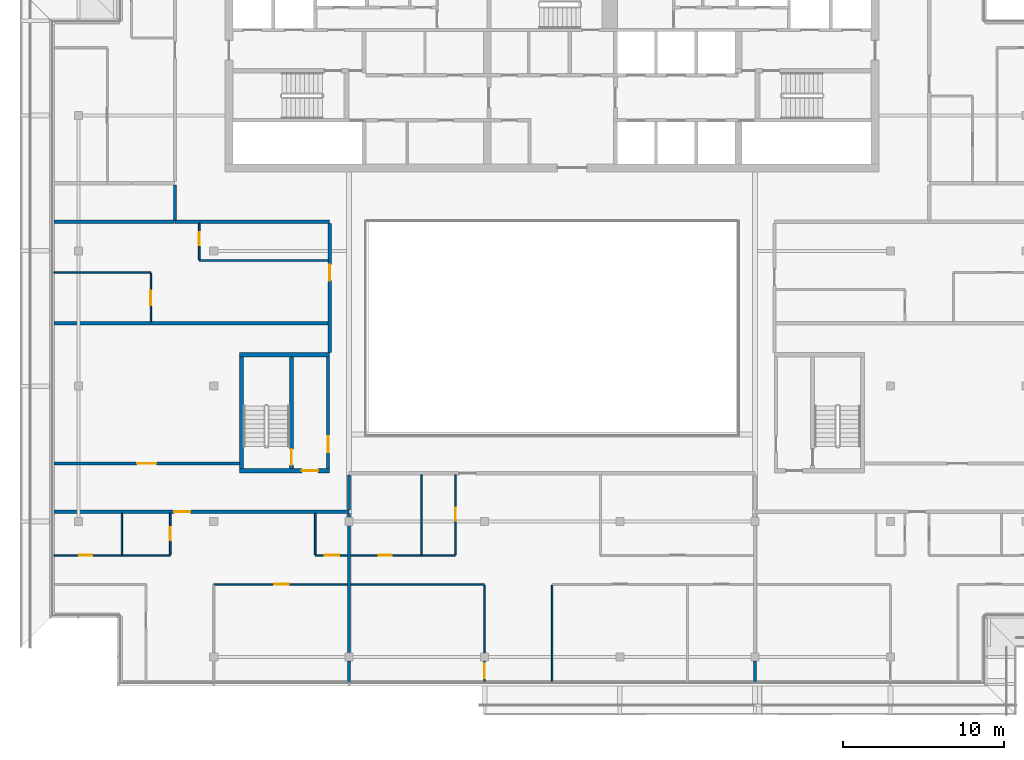
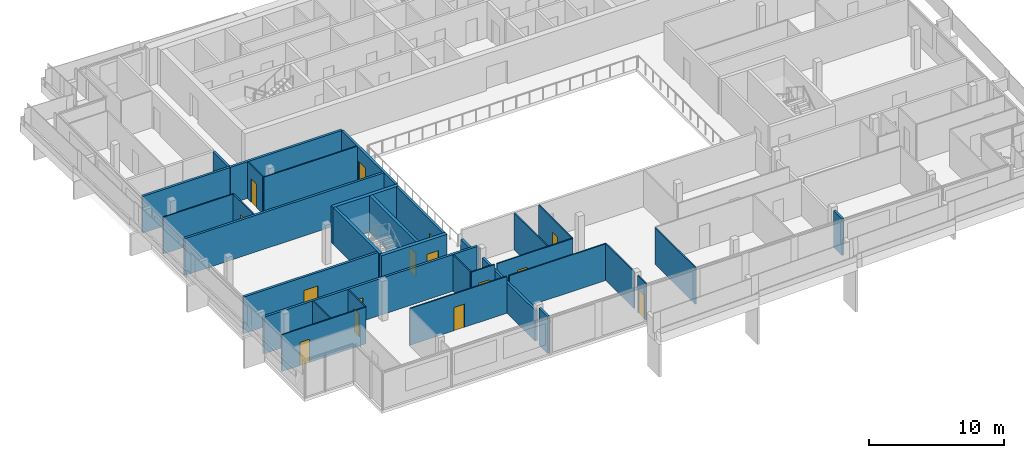
# One storey, part 15 of 26: 34 walls, 15 doors, 15 openings.
"""IFC4 building model written with IfcOpenShell, lengths in metres."""

from ifc_helpers import new_model, si_unit, direction, frame, frame_2d, origin, place, context, subcontext, project, spatial, rectangle, extrude, material, layer, layer_set, type_object, element, fill, save


model = new_model("IFC4")

# Units and contexts
model_context = context("Model", 3, precision=1e-05, world=origin(), true_north=direction((0.0, 1.0)))
body_context = subcontext(model_context, "Body", "Model", "MODEL_VIEW")
ifc_project = project(units=[si_unit("LENGTHUNIT", "METRE"), si_unit("AREAUNIT", "SQUARE_METRE"), si_unit("VOLUMEUNIT", "CUBIC_METRE"), si_unit("PLANEANGLEUNIT", "RADIAN"), si_unit("MASSUNIT", "GRAM", prefix="KILO")], contexts=[model_context])

# Site, building, storey
site_placement = place(None, origin())
site = spatial("IfcSite", under=ifc_project, at=site_placement, CompositionType="ELEMENT")
building_placement = place(site_placement, origin())
building = spatial("IfcBuilding", under=site, at=building_placement, Name="Saffron Gate Tower", CompositionType="ELEMENT")
storey_placement = place(building_placement, frame((0.0, 0.0, 277.949951171875)))
storey = spatial("IfcBuildingStorey", under=building, at=storey_placement, Name="L67", CompositionType="ELEMENT", Elevation=277.949951171875)

# Wall, opening, door
ifc_material_1 = material(Name="Gypsum board partition on steel studs", Category="steel")
ifc_layer_1 = layer(ifc_material_1, 0.199951171875)
ifc_layer_set_1 = layer_set([ifc_layer_1], Name="CW10 Core partition 200")
wall_type_1 = type_object("IfcWallType", Name="CW10 Core partition 200", PredefinedType="PARTITIONING", material=ifc_layer_set_1)
wall_1_placement = place(storey_placement, frame((73.699951171875, 43.5, 0.0), z_axis=(0.0, 0.0, 1.0), x_axis=(0.0, 1.0, 0.0)))
wall_1 = element("IfcWall", 1, at=wall_1_placement, inside=storey, type_object=wall_type_1, Name="Wall CW10-L67-D-4", PredefinedType="PARTITIONING", context=body_context, shape_type="SweptSolid", body=[
    extrude(rectangle(XDim=6.89990234375, YDim=0.199951171875, at=frame_2d((3.449951171875, 0.0))), origin(), (0.0, 0.0, 1.0), 3.320068359375),
])
opening_1_placement = place(wall_1_placement, frame((1.0, 0.0, 0.0)))
opening_1 = element("IfcOpeningElement", 2, at=opening_1_placement, cuts=wall_1, Name="Opening CR-19", PredefinedType="OPENING", context=body_context, shape_type="SweptSolid", body=[
    extrude(rectangle(XDim=1.0, YDim=2.10009765625, at=frame_2d((0.5, 1.050048828125))), frame((0.0, 0.10986328125, 0.0), z_axis=(0.0, -1.0, 0.0), x_axis=(1.0, 0.0, 0.0)), (0.0, 0.0, 1.0), 0.219970703125),
])
ifc_material_2 = material(Name="Steel fire door set", Category="steel")
door_type_1 = type_object("IfcDoorType", Name="CD4 Lobby door 1000x2100 EI 120", OperationType="NOTDEFINED", PredefinedType="DOOR", material=ifc_material_2)
door_1_placement = place(opening_1_placement, origin())
door_1 = element("IfcDoor", 3, at=door_1_placement, inside=storey, type_object=door_type_1, Name="DOOR CR-19", OperationType="SINGLE_SWING_RIGHT", OverallHeight=2.10009765625, OverallWidth=1.0, PredefinedType="DOOR", context=body_context, shape_type="SweptSolid", body=[
    extrude(rectangle(XDim=1.0, YDim=2.10009765625, at=frame_2d((0.5, 1.050048828125))), frame((0.0, 0.02490234375, 0.0), z_axis=(0.0, -1.0, 0.0), x_axis=(1.0, 0.0, 0.0)), (0.0, 0.0, 1.0), 0.050048828125),
])
fill(opening_1, door_1)

# Wall
ifc_material_3 = material(Name="Concrete C50", Category="concrete")
ifc_layer_2 = layer(ifc_material_3, 0.25)
ifc_layer_set_2 = layer_set([ifc_layer_2], Name="CW23 RC core wall 250 C50")
wall_type_2 = type_object("IfcWallType", Name="CW23 RC core wall 250 C50", PredefinedType="SOLIDWALL", material=ifc_layer_set_2)
wall_2_placement = place(storey_placement, frame((68.324951171875, 43.5, 0.0), z_axis=(0.0, 0.0, 1.0), x_axis=(0.0, 1.0, 0.0)))
element("IfcWall", 4, at=wall_2_placement, inside=storey, type_object=wall_type_2, Name="Wall CW23-L67-D-2", PredefinedType="SOLIDWALL", context=body_context, shape_type="SweptSolid", body=[
    extrude(rectangle(XDim=6.89990234375, YDim=0.25, at=frame_2d((3.449951171875, 0.0))), origin(), (0.0, 0.0, 1.0), 3.320068359375),
])

# Wall, opening, door
wall_3_placement = place(storey_placement, frame((71.425048828125, 43.5, 0.0), z_axis=(0.0, 0.0, 1.0), x_axis=(0.0, 1.0, 0.0)))
wall_3 = element("IfcWall", 5, at=wall_3_placement, inside=storey, type_object=wall_type_2, Name="Wall CW23-L67-D-3", PredefinedType="SOLIDWALL", context=body_context, shape_type="SweptSolid", body=[
    extrude(rectangle(XDim=6.89990234375, YDim=0.25, at=frame_2d((3.449951171875, 0.0))), origin(), (0.0, 0.0, 1.0), 3.320068359375),
])
opening_2_placement = place(wall_3_placement, frame((0.199951171875, 0.0, 0.0)))
opening_2 = element("IfcOpeningElement", 6, at=opening_2_placement, cuts=wall_3, Name="Opening CR-20", PredefinedType="OPENING", context=body_context, shape_type="SweptSolid", body=[
    extrude(rectangle(XDim=1.0, YDim=2.10009765625, at=frame_2d((0.5, 1.050048828125))), frame((0.0, 0.135009765625, 0.0), z_axis=(0.0, -1.0, 0.0), x_axis=(1.0, 0.0, 0.0)), (0.0, 0.0, 1.0), 0.27001953125),
])
door_type_2 = type_object("IfcDoorType", Name="CD5 Stair door 1000x2100 EI 120", OperationType="NOTDEFINED", PredefinedType="DOOR", material=ifc_material_2)
door_2_placement = place(opening_2_placement, origin())
door_2 = element("IfcDoor", 7, at=door_2_placement, inside=storey, type_object=door_type_2, Name="DOOR CR-20", OperationType="SINGLE_SWING_LEFT", OverallHeight=2.10009765625, OverallWidth=1.0, PredefinedType="DOOR", context=body_context, shape_type="SweptSolid", body=[
    extrude(rectangle(XDim=1.0, YDim=2.10009765625, at=frame_2d((0.5, 1.050048828125))), frame((0.0, 0.02490234375, 0.0), z_axis=(0.0, -1.0, 0.0), x_axis=(1.0, 0.0, 0.0)), (0.0, 0.0, 1.0), 0.050048828125),
])
fill(opening_2, door_2)

ifc_layer_3 = layer(ifc_material_3, 0.300048828125)
ifc_layer_set_3 = layer_set([ifc_layer_3], Name="CW26 RC core wall 300 C50")
wall_type_3 = type_object("IfcWallType", Name="CW26 RC core wall 300 C50", PredefinedType="SOLIDWALL", material=ifc_layer_set_3)
wall_4_placement = place(storey_placement, frame((68.199951171875, 43.35009765625, 0.0), z_axis=(0.0, 0.0, 1.0), x_axis=(1.0, 0.0, 0.0)))
wall_4 = element("IfcWall", 8, at=wall_4_placement, inside=storey, type_object=wall_type_3, Name="Wall CW26-L67-D-1", PredefinedType="SOLIDWALL", context=body_context, shape_type="SweptSolid", body=[
    extrude(rectangle(XDim=5.60009765625, YDim=0.300048828125, at=frame_2d((2.800048828125, 0.0))), origin(), (0.0, 0.0, 1.0), 3.320068359375),
])
opening_3_placement = place(wall_4_placement, frame((3.875, 0.0, 0.0)))
opening_3 = element("IfcOpeningElement", 9, at=opening_3_placement, cuts=wall_4, Name="Opening CR-18", PredefinedType="OPENING", context=body_context, shape_type="SweptSolid", body=[
    extrude(rectangle(XDim=1.0, YDim=2.10009765625, at=frame_2d((0.5, 1.050048828125))), frame((0.0, 0.16015625, 0.0), z_axis=(0.0, -1.0, 0.0), x_axis=(1.0, 0.0, 0.0)), (0.0, 0.0, 1.0), 0.320068359375),
])
door_3_placement = place(opening_3_placement, origin())
door_3 = element("IfcDoor", 10, at=door_3_placement, inside=storey, type_object=door_type_1, Name="DOOR CR-18", OperationType="SINGLE_SWING_RIGHT", OverallHeight=2.10009765625, OverallWidth=1.0, PredefinedType="DOOR", context=body_context, shape_type="SweptSolid", body=[
    extrude(rectangle(XDim=1.0, YDim=2.10009765625, at=frame_2d((0.5, 1.050048828125))), frame((0.0, 0.02490234375, 0.0), z_axis=(0.0, -1.0, 0.0), x_axis=(1.0, 0.0, 0.0)), (0.0, 0.0, 1.0), 0.050048828125),
])
fill(opening_3, door_3)

# Wall
wall_5_placement = place(storey_placement, frame((68.199951171875, 50.550048828125, 0.0), z_axis=(0.0, 0.0, 1.0), x_axis=(1.0, 0.0, 0.0)))
element("IfcWall", 11, at=wall_5_placement, inside=storey, type_object=wall_type_3, Name="Wall CW26-L67-D-5", PredefinedType="SOLIDWALL", context=body_context, shape_type="SweptSolid", body=[
    extrude(rectangle(XDim=5.60009765625, YDim=0.300048828125, at=frame_2d((2.800048828125, 0.0))), origin(), (0.0, 0.0, 1.0), 3.320068359375),
])

# Wall, opening, door
ifc_material_4 = material(Name="Plasterboard on steel studs", Category="steel")
ifc_layer_4 = layer(ifc_material_4, 0.10009765625)
ifc_layer_set_4 = layer_set([ifc_layer_4], Name="PW1 Partition 100")
wall_type_4 = type_object("IfcWallType", Name="PW1 Partition 100", PredefinedType="PARTITIONING", material=ifc_layer_set_4)
wall_6_placement = place(storey_placement, frame((56.679931640625, 38.10009765625, 0.0), z_axis=(0.0, 0.0, 1.0), x_axis=(1.0, 0.0, 0.0)))
wall_6 = element("IfcWall", 12, at=wall_6_placement, inside=storey, type_object=wall_type_4, Name="Partition E3-3", PredefinedType="PARTITIONING", context=body_context, shape_type="SweptSolid", body=[
    extrude(rectangle(XDim=7.219970703125, YDim=0.10009765625, at=frame_2d((3.60986328125, 0.0))), origin(), (0.0, 0.0, 1.0), 3.320068359375),
])
opening_4_placement = place(wall_6_placement, frame((1.570068359375, 0.0, 0.0)))
opening_4 = element("IfcOpeningElement", 13, at=opening_4_placement, cuts=wall_6, Name="Opening E3-22", PredefinedType="OPENING", context=body_context, shape_type="SweptSolid", body=[
    extrude(rectangle(XDim=0.800048828125, YDim=2.10009765625, at=frame_2d((0.39990234375, 1.050048828125))), frame((0.0, 0.06005859375, 0.0), z_axis=(0.0, -1.0, 0.0), x_axis=(1.0, 0.0, 0.0)), (0.0, 0.0, 1.0), 0.1201171875),
])
ifc_material_5 = material(Name="Timber door set", Category="wood")
door_type_3 = type_object("IfcDoorType", Name="RD2 Bathroom door 800x2100", OperationType="NOTDEFINED", PredefinedType="DOOR", material=ifc_material_5)
door_4_placement = place(opening_4_placement, origin())
door_4 = element("IfcDoor", 14, at=door_4_placement, inside=storey, type_object=door_type_3, Name="Door E3-22", OperationType="SINGLE_SWING_LEFT", OverallHeight=2.10009765625, OverallWidth=0.800048828125, PredefinedType="DOOR", context=body_context, shape_type="SweptSolid", body=[
    extrude(rectangle(XDim=0.800048828125, YDim=2.10009765625, at=frame_2d((0.39990234375, 1.050048828125))), frame((0.0, 0.02490234375, 0.0), z_axis=(0.0, -1.0, 0.0), x_axis=(1.0, 0.0, 0.0)), (0.0, 0.0, 1.0), 0.050048828125),
])
fill(opening_4, door_4)

# Walls
wall_7_placement = place(storey_placement, frame((56.679931640625, 55.64990234375, 0.0), z_axis=(0.0, 0.0, 1.0), x_axis=(1.0, 0.0, 0.0)))
element("IfcWall", 15, at=wall_7_placement, inside=storey, type_object=wall_type_4, Name="Partition E3-15", PredefinedType="PARTITIONING", context=body_context, shape_type="SweptSolid", body=[
    extrude(rectangle(XDim=6.02001953125, YDim=0.10009765625, at=frame_2d((3.010009765625, 0.0))), origin(), (0.0, 0.0, 1.0), 3.320068359375),
])
wall_8_placement = place(storey_placement, frame((65.699951171875, 56.39990234375, 0.0), z_axis=(0.0, 0.0, 1.0), x_axis=(1.0, 0.0, 0.0)))
element("IfcWall", 16, at=wall_8_placement, inside=storey, type_object=wall_type_4, Name="Partition E3-17", PredefinedType="PARTITIONING", context=body_context, shape_type="SweptSolid", body=[
    extrude(rectangle(XDim=8.0, YDim=0.10009765625, at=frame_2d((4.0, 0.0))), origin(), (0.0, 0.0, 1.0), 3.320068359375),
])
wall_9_placement = place(storey_placement, frame((60.89990234375, 40.699951171875, 0.0), z_axis=(0.0, 0.0, 1.0), x_axis=(0.0, -1.0, 0.0)))
element("IfcWall", 17, at=wall_9_placement, inside=storey, type_object=wall_type_4, Name="Partition E3-33", PredefinedType="PARTITIONING", context=body_context, shape_type="SweptSolid", body=[
    extrude(rectangle(XDim=2.550048828125, YDim=0.10009765625, at=frame_2d((1.27490234375, 0.0))), origin(), (0.0, 0.0, 1.0), 3.320068359375),
])

# Wall, opening, door
wall_10_placement = place(storey_placement, frame((62.699951171875, 52.60009765625, 0.0), z_axis=(0.0, 0.0, 1.0), x_axis=(0.0, 1.0, 0.0)))
wall_10 = element("IfcWall", 18, at=wall_10_placement, inside=storey, type_object=wall_type_4, Name="Partition E3-36", PredefinedType="PARTITIONING", context=body_context, shape_type="SweptSolid", body=[
    extrude(rectangle(XDim=3.0, YDim=0.10009765625, at=frame_2d((1.5, 0.0))), origin(), (0.0, 0.0, 1.0), 3.320068359375),
])
opening_5_placement = place(wall_10_placement, frame((1.02490234375, 0.0, 0.0)))
opening_5 = element("IfcOpeningElement", 19, at=opening_5_placement, cuts=wall_10, Name="Opening E3-18", PredefinedType="OPENING", context=body_context, shape_type="SweptSolid", body=[
    extrude(rectangle(XDim=0.89990234375, YDim=2.10009765625, at=frame_2d((0.449951171875, 1.050048828125))), frame((0.0, 0.06005859375, 0.0), z_axis=(0.0, -1.0, 0.0), x_axis=(1.0, 0.0, 0.0)), (0.0, 0.0, 1.0), 0.1201171875),
])
door_type_4 = type_object("IfcDoorType", Name="RD1 Room door 900x2100", OperationType="NOTDEFINED", PredefinedType="DOOR", material=ifc_material_5)
door_5_placement = place(opening_5_placement, origin())
door_5 = element("IfcDoor", 20, at=door_5_placement, inside=storey, type_object=door_type_4, Name="Door E3-18", OperationType="SINGLE_SWING_LEFT", OverallHeight=2.10009765625, OverallWidth=0.89990234375, PredefinedType="DOOR", context=body_context, shape_type="SweptSolid", body=[
    extrude(rectangle(XDim=0.89990234375, YDim=2.10009765625, at=frame_2d((0.449951171875, 1.050048828125))), frame((0.0, 0.02490234375, 0.0), z_axis=(0.0, -1.0, 0.0), x_axis=(1.0, 0.0, 0.0)), (0.0, 0.0, 1.0), 0.050048828125),
])
fill(opening_5, door_5)

wall_11_placement = place(storey_placement, frame((63.89990234375, 38.14990234375, 0.0), z_axis=(0.0, 0.0, 1.0), x_axis=(0.0, 1.0, 0.0)))
wall_11 = element("IfcWall", 21, at=wall_11_placement, inside=storey, type_object=wall_type_4, Name="Partition E3-37", PredefinedType="PARTITIONING", context=body_context, shape_type="SweptSolid", body=[
    extrude(rectangle(XDim=2.550048828125, YDim=0.10009765625, at=frame_2d((1.27490234375, 0.0))), origin(), (0.0, 0.0, 1.0), 3.320068359375),
])
opening_6_placement = place(wall_11_placement, frame((0.89990234375, 0.0, 0.0)))
opening_6 = element("IfcOpeningElement", 22, at=opening_6_placement, cuts=wall_11, Name="Opening E3-23", PredefinedType="OPENING", context=body_context, shape_type="SweptSolid", body=[
    extrude(rectangle(XDim=0.800048828125, YDim=2.10009765625, at=frame_2d((0.39990234375, 1.050048828125))), frame((0.0, 0.06005859375, 0.0), z_axis=(0.0, -1.0, 0.0), x_axis=(1.0, 0.0, 0.0)), (0.0, 0.0, 1.0), 0.1201171875),
])
door_6_placement = place(opening_6_placement, origin())
door_6 = element("IfcDoor", 23, at=door_6_placement, inside=storey, type_object=door_type_3, Name="Door E3-23", OperationType="SINGLE_SWING_RIGHT", OverallHeight=2.10009765625, OverallWidth=0.800048828125, PredefinedType="DOOR", context=body_context, shape_type="SweptSolid", body=[
    extrude(rectangle(XDim=0.800048828125, YDim=2.10009765625, at=frame_2d((0.39990234375, 1.050048828125))), frame((0.0, 0.02490234375, 0.0), z_axis=(0.0, -1.0, 0.0), x_axis=(1.0, 0.0, 0.0)), (0.0, 0.0, 1.0), 0.050048828125),
])
fill(opening_6, door_6)

wall_12_placement = place(storey_placement, frame((65.699951171875, 58.699951171875, 0.0), z_axis=(0.0, 0.0, 1.0), x_axis=(0.0, -1.0, 0.0)))
wall_12 = element("IfcWall", 24, at=wall_12_placement, inside=storey, type_object=wall_type_4, Name="Partition E3-40", PredefinedType="PARTITIONING", context=body_context, shape_type="SweptSolid", body=[
    extrude(rectangle(XDim=2.25, YDim=0.10009765625, at=frame_2d((1.125, 0.0))), origin(), (0.0, 0.0, 1.0), 3.320068359375),
])
opening_7_placement = place(wall_12_placement, frame((0.550048828125, 0.0, 0.0)))
opening_7 = element("IfcOpeningElement", 25, at=opening_7_placement, cuts=wall_12, Name="Opening E3-28", PredefinedType="OPENING", context=body_context, shape_type="SweptSolid", body=[
    extrude(rectangle(XDim=0.800048828125, YDim=2.10009765625, at=frame_2d((0.39990234375, 1.050048828125))), frame((0.0, 0.06005859375, 0.0), z_axis=(0.0, -1.0, 0.0), x_axis=(1.0, 0.0, 0.0)), (0.0, 0.0, 1.0), 0.1201171875),
])
door_7_placement = place(opening_7_placement, origin())
door_7 = element("IfcDoor", 26, at=door_7_placement, inside=storey, type_object=door_type_3, Name="Door E3-28", OperationType="SINGLE_SWING_LEFT", OverallHeight=2.10009765625, OverallWidth=0.800048828125, PredefinedType="DOOR", context=body_context, shape_type="SweptSolid", body=[
    extrude(rectangle(XDim=0.800048828125, YDim=2.10009765625, at=frame_2d((0.39990234375, 1.050048828125))), frame((0.0, 0.02490234375, 0.0), z_axis=(0.0, -1.0, 0.0), x_axis=(1.0, 0.0, 0.0)), (0.0, 0.0, 1.0), 0.050048828125),
])
fill(opening_7, door_7)

# Walls
wall_13_placement = place(storey_placement, frame((72.89990234375, 40.699951171875, 0.0), z_axis=(0.0, 0.0, 1.0), x_axis=(0.0, -1.0, 0.0)))
element("IfcWall", 27, at=wall_13_placement, inside=storey, type_object=wall_type_4, Name="Partition E3-43", PredefinedType="PARTITIONING", context=body_context, shape_type="SweptSolid", body=[
    extrude(rectangle(XDim=2.550048828125, YDim=0.10009765625, at=frame_2d((1.27490234375, 0.0))), origin(), (0.0, 0.0, 1.0), 3.320068359375),
])
wall_14_placement = place(storey_placement, frame((79.5, 43.10009765625, 0.0), z_axis=(0.0, 0.0, 1.0), x_axis=(0.0, -1.0, 0.0)))
element("IfcWall", 28, at=wall_14_placement, inside=storey, type_object=wall_type_4, Name="Partition E3-49", PredefinedType="PARTITIONING", context=body_context, shape_type="SweptSolid", body=[
    extrude(rectangle(XDim=4.9501953125, YDim=0.10009765625, at=frame_2d((2.47509765625, 0.0))), origin(), (0.0, 0.0, 1.0), 3.320068359375),
])

# Wall, opening, door
wall_15_placement = place(storey_placement, frame((81.60009765625, 38.14990234375, 0.0), z_axis=(0.0, 0.0, 1.0), x_axis=(0.0, 1.0, 0.0)))
wall_15 = element("IfcWall", 29, at=wall_15_placement, inside=storey, type_object=wall_type_4, Name="Partition E3-50", PredefinedType="PARTITIONING", context=body_context, shape_type="SweptSolid", body=[
    extrude(rectangle(XDim=4.9501953125, YDim=0.10009765625, at=frame_2d((2.47509765625, 0.0))), origin(), (0.0, 0.0, 1.0), 3.320068359375),
])
opening_8_placement = place(wall_15_placement, frame((2.10009765625, 0.0, 0.0)))
opening_8 = element("IfcOpeningElement", 30, at=opening_8_placement, cuts=wall_15, Name="Opening E3-25", PredefinedType="OPENING", context=body_context, shape_type="SweptSolid", body=[
    extrude(rectangle(XDim=0.800048828125, YDim=2.10009765625, at=frame_2d((0.39990234375, 1.050048828125))), frame((0.0, 0.06005859375, 0.0), z_axis=(0.0, -1.0, 0.0), x_axis=(1.0, 0.0, 0.0)), (0.0, 0.0, 1.0), 0.1201171875),
])
door_8_placement = place(opening_8_placement, origin())
door_8 = element("IfcDoor", 31, at=door_8_placement, inside=storey, type_object=door_type_3, Name="Door E3-25", OperationType="SINGLE_SWING_RIGHT", OverallHeight=2.10009765625, OverallWidth=0.800048828125, PredefinedType="DOOR", context=body_context, shape_type="SweptSolid", body=[
    extrude(rectangle(XDim=0.800048828125, YDim=2.10009765625, at=frame_2d((0.39990234375, 1.050048828125))), frame((0.0, 0.02490234375, 0.0), z_axis=(0.0, -1.0, 0.0), x_axis=(1.0, 0.0, 0.0)), (0.0, 0.0, 1.0), 0.050048828125),
])
fill(opening_8, door_8)

wall_16_placement = place(storey_placement, frame((83.39990234375, 30.280029296875, 0.0), z_axis=(0.0, 0.0, 1.0), x_axis=(0.0, 1.0, 0.0)))
wall_16 = element("IfcWall", 32, at=wall_16_placement, inside=storey, type_object=wall_type_4, Name="Partition E3-51", PredefinedType="PARTITIONING", context=body_context, shape_type="SweptSolid", body=[
    extrude(rectangle(XDim=1.25, YDim=0.10009765625, at=frame_2d((0.625, 0.0))), origin(), (0.0, 0.0, 1.0), 3.320068359375),
])
opening_9_placement = place(wall_16_placement, frame((0.199951171875, 0.0, 0.0)))
opening_9 = element("IfcOpeningElement", 33, at=opening_9_placement, cuts=wall_16, Name="Opening E3-11", PredefinedType="OPENING", context=body_context, shape_type="SweptSolid", body=[
    extrude(rectangle(XDim=0.89990234375, YDim=2.10009765625, at=frame_2d((0.449951171875, 1.050048828125))), frame((0.0, 0.06005859375, 0.0), z_axis=(0.0, -1.0, 0.0), x_axis=(1.0, 0.0, 0.0)), (0.0, 0.0, 1.0), 0.1201171875),
])
door_9_placement = place(opening_9_placement, origin())
door_9 = element("IfcDoor", 34, at=door_9_placement, inside=storey, type_object=door_type_4, Name="Door E3-11", OperationType="SINGLE_SWING_RIGHT", OverallHeight=2.10009765625, OverallWidth=0.89990234375, PredefinedType="DOOR", context=body_context, shape_type="SweptSolid", body=[
    extrude(rectangle(XDim=0.89990234375, YDim=2.10009765625, at=frame_2d((0.449951171875, 1.050048828125))), frame((0.0, 0.02490234375, 0.0), z_axis=(0.0, -1.0, 0.0), x_axis=(1.0, 0.0, 0.0)), (0.0, 0.0, 1.0), 0.050048828125),
])
fill(opening_9, door_9)

# Walls
wall_17_placement = place(storey_placement, frame((83.39990234375, 36.25, 0.0), z_axis=(0.0, 0.0, 1.0), x_axis=(0.0, -1.0, 0.0)))
element("IfcWall", 35, at=wall_17_placement, inside=storey, type_object=wall_type_4, Name="Partition E3-52", PredefinedType="PARTITIONING", context=body_context, shape_type="SweptSolid", body=[
    extrude(rectangle(XDim=4.179931640625, YDim=0.10009765625, at=frame_2d((2.08984375, 0.0))), origin(), (0.0, 0.0, 1.0), 3.320068359375),
])
wall_18_placement = place(storey_placement, frame((87.60009765625, 36.25, 0.0), z_axis=(0.0, 0.0, 1.0), x_axis=(0.0, -1.0, 0.0)))
element("IfcWall", 36, at=wall_18_placement, inside=storey, type_object=wall_type_4, Name="Partition E3-53", PredefinedType="PARTITIONING", context=body_context, shape_type="SweptSolid", body=[
    extrude(rectangle(XDim=5.969970703125, YDim=0.10009765625, at=frame_2d((2.98486328125, 0.0))), origin(), (0.0, 0.0, 1.0), 3.320068359375),
])

# Wall, opening, door
wall_19_placement = place(storey_placement, frame((74.89990234375, 36.300048828125, 0.0), z_axis=(0.0, 0.0, 1.0), x_axis=(-1.0, 0.0, 0.0)))
wall_19 = element("IfcWall", 37, at=wall_19_placement, inside=storey, type_object=wall_type_4, Name="Partition E3-74", PredefinedType="PARTITIONING", context=body_context, shape_type="SweptSolid", body=[
    extrude(rectangle(XDim=8.2998046875, YDim=0.10009765625, at=frame_2d((4.14990234375, 0.0))), origin(), (0.0, 0.0, 1.0), 3.320068359375),
])
opening_10_placement = place(wall_19_placement, frame((3.64990234375, 0.0, 0.0)))
opening_10 = element("IfcOpeningElement", 38, at=opening_10_placement, cuts=wall_19, Name="Opening E3-9", PredefinedType="OPENING", context=body_context, shape_type="SweptSolid", body=[
    extrude(rectangle(XDim=0.89990234375, YDim=2.10009765625, at=frame_2d((0.449951171875, 1.050048828125))), frame((0.0, 0.06005859375, 0.0), z_axis=(0.0, -1.0, 0.0), x_axis=(1.0, 0.0, 0.0)), (0.0, 0.0, 1.0), 0.1201171875),
])
door_10_placement = place(opening_10_placement, origin())
door_10 = element("IfcDoor", 39, at=door_10_placement, inside=storey, type_object=door_type_4, Name="Door E3-9", OperationType="SINGLE_SWING_LEFT", OverallHeight=2.10009765625, OverallWidth=0.89990234375, PredefinedType="DOOR", context=body_context, shape_type="SweptSolid", body=[
    extrude(rectangle(XDim=0.89990234375, YDim=2.10009765625, at=frame_2d((0.449951171875, 1.050048828125))), frame((0.0, 0.02490234375, 0.0), z_axis=(0.0, -1.0, 0.0), x_axis=(1.0, 0.0, 0.0)), (0.0, 0.0, 1.0), 0.050048828125),
])
fill(opening_10, door_10)

# Wall
wall_20_placement = place(storey_placement, frame((75.10009765625, 36.300048828125, 0.0), z_axis=(0.0, 0.0, 1.0), x_axis=(1.0, 0.0, 0.0)))
element("IfcWall", 40, at=wall_20_placement, inside=storey, type_object=wall_type_4, Name="Partition E3-75", PredefinedType="PARTITIONING", context=body_context, shape_type="SweptSolid", body=[
    extrude(rectangle(XDim=8.2998046875, YDim=0.10009765625, at=frame_2d((4.14990234375, 0.0))), origin(), (0.0, 0.0, 1.0), 3.320068359375),
])

# Wall, opening, door
wall_21_placement = place(storey_placement, frame((72.89990234375, 38.10009765625, 0.0), z_axis=(0.0, 0.0, 1.0), x_axis=(1.0, 0.0, 0.0)))
wall_21 = element("IfcWall", 41, at=wall_21_placement, inside=storey, type_object=wall_type_4, Name="Partition E3-78", PredefinedType="PARTITIONING", context=body_context, shape_type="SweptSolid", body=[
    extrude(rectangle(XDim=2.0, YDim=0.10009765625, at=frame_2d((1.0, 0.0))), origin(), (0.0, 0.0, 1.0), 3.320068359375),
])
opening_11_placement = place(wall_21_placement, frame((0.60009765625, 0.0, 0.0)))
opening_11 = element("IfcOpeningElement", 42, at=opening_11_placement, cuts=wall_21, Name="Opening E3-10", PredefinedType="OPENING", context=body_context, shape_type="SweptSolid", body=[
    extrude(rectangle(XDim=0.89990234375, YDim=2.10009765625, at=frame_2d((0.449951171875, 1.050048828125))), frame((0.0, 0.06005859375, 0.0), z_axis=(0.0, -1.0, 0.0), x_axis=(1.0, 0.0, 0.0)), (0.0, 0.0, 1.0), 0.1201171875),
])
door_11_placement = place(opening_11_placement, origin())
door_11 = element("IfcDoor", 43, at=door_11_placement, inside=storey, type_object=door_type_4, Name="Door E3-10", OperationType="SINGLE_SWING_RIGHT", OverallHeight=2.10009765625, OverallWidth=0.89990234375, PredefinedType="DOOR", context=body_context, shape_type="SweptSolid", body=[
    extrude(rectangle(XDim=0.89990234375, YDim=2.10009765625, at=frame_2d((0.449951171875, 1.050048828125))), frame((0.0, 0.02490234375, 0.0), z_axis=(0.0, -1.0, 0.0), x_axis=(1.0, 0.0, 0.0)), (0.0, 0.0, 1.0), 0.050048828125),
])
fill(opening_11, door_11)

wall_22_placement = place(storey_placement, frame((75.10009765625, 38.10009765625, 0.0), z_axis=(0.0, 0.0, 1.0), x_axis=(1.0, 0.0, 0.0)))
wall_22 = element("IfcWall", 44, at=wall_22_placement, inside=storey, type_object=wall_type_4, Name="Partition E3-79", PredefinedType="PARTITIONING", context=body_context, shape_type="SweptSolid", body=[
    extrude(rectangle(XDim=6.5, YDim=0.10009765625, at=frame_2d((3.25, 0.0))), origin(), (0.0, 0.0, 1.0), 3.320068359375),
])
opening_12_placement = place(wall_22_placement, frame((1.75, 0.0, 0.0)))
opening_12 = element("IfcOpeningElement", 45, at=opening_12_placement, cuts=wall_22, Name="Opening E3-24", PredefinedType="OPENING", context=body_context, shape_type="SweptSolid", body=[
    extrude(rectangle(XDim=0.800048828125, YDim=2.10009765625, at=frame_2d((0.39990234375, 1.050048828125))), frame((0.0, 0.06005859375, 0.0), z_axis=(0.0, -1.0, 0.0), x_axis=(1.0, 0.0, 0.0)), (0.0, 0.0, 1.0), 0.1201171875),
])
door_12_placement = place(opening_12_placement, origin())
door_12 = element("IfcDoor", 46, at=door_12_placement, inside=storey, type_object=door_type_3, Name="Door E3-24", OperationType="SINGLE_SWING_LEFT", OverallHeight=2.10009765625, OverallWidth=0.800048828125, PredefinedType="DOOR", context=body_context, shape_type="SweptSolid", body=[
    extrude(rectangle(XDim=0.800048828125, YDim=2.10009765625, at=frame_2d((0.39990234375, 1.050048828125))), frame((0.0, 0.02490234375, 0.0), z_axis=(0.0, -1.0, 0.0), x_axis=(1.0, 0.0, 0.0)), (0.0, 0.0, 1.0), 0.050048828125),
])
fill(opening_12, door_12)

# Walls
ifc_material_6 = material(Name="Clay brick masonry, rendered", Category="masonry")
ifc_layer_5 = layer(ifc_material_6, 0.199951171875)
ifc_layer_set_5 = layer_set([ifc_layer_5], Name="PW2 Demising wall 200")
wall_type_5 = type_object("IfcWallType", Name="PW2 Demising wall 200", PredefinedType="PARTITIONING", material=ifc_layer_set_5)
wall_23_placement = place(storey_placement, frame((75.0, 31.530029296875, 0.0), z_axis=(0.0, 0.0, 1.0), x_axis=(0.0, -1.0, 0.0)))
element("IfcWall", 47, at=wall_23_placement, inside=storey, type_object=wall_type_5, Name="Wall E3-46", PredefinedType="PARTITIONING", context=body_context, shape_type="SweptSolid", body=[
    extrude(rectangle(XDim=1.25, YDim=0.199951171875, at=frame_2d((0.625, 0.0))), origin(), (0.0, 0.0, 1.0), 3.320068359375),
])
wall_24_placement = place(storey_placement, frame((75.0, 39.929931640625, 0.0), z_axis=(0.0, 0.0, 1.0), x_axis=(0.0, -1.0, 0.0)))
element("IfcWall", 48, at=wall_24_placement, inside=storey, type_object=wall_type_5, Name="Wall E3-47", PredefinedType="PARTITIONING", context=body_context, shape_type="SweptSolid", body=[
    extrude(rectangle(XDim=7.85986328125, YDim=0.199951171875, at=frame_2d((3.929931640625, 0.0))), origin(), (0.0, 0.0, 1.0), 2.77001953125),
])
wall_25_placement = place(storey_placement, frame((75.0, 40.699951171875, 0.0), z_axis=(0.0, 0.0, 1.0), x_axis=(0.0, -1.0, 0.0)))
element("IfcWall", 49, at=wall_25_placement, inside=storey, type_object=wall_type_5, Name="Wall E3-48", PredefinedType="PARTITIONING", context=body_context, shape_type="SweptSolid", body=[
    extrude(rectangle(XDim=0.22998046875, YDim=0.199951171875, at=frame_2d((0.114990234375, 0.0))), origin(), (0.0, 0.0, 1.0), 3.320068359375),
])
wall_26_placement = place(storey_placement, frame((100.199951171875, 31.530029296875, 0.0), z_axis=(0.0, 0.0, 1.0), x_axis=(0.0, -1.0, 0.0)))
element("IfcWall", 50, at=wall_26_placement, inside=storey, type_object=wall_type_5, Name="Wall E3-57", PredefinedType="PARTITIONING", context=body_context, shape_type="SweptSolid", body=[
    extrude(rectangle(XDim=1.25, YDim=0.199951171875, at=frame_2d((0.625, 0.0))), origin(), (0.0, 0.0, 1.0), 3.320068359375),
])

# Wall, opening, door
ifc_layer_6 = layer(ifc_material_6, 0.199951171875)
ifc_layer_set_6 = layer_set([ifc_layer_6], Name="PW3 Corridor wall 200")
wall_type_6 = type_object("IfcWallType", Name="PW3 Corridor wall 200", PredefinedType="PARTITIONING", material=ifc_layer_set_6)
wall_27_placement = place(storey_placement, frame((75.0, 40.800048828125, 0.0), z_axis=(0.0, 0.0, 1.0), x_axis=(-1.0, 0.0, 0.0)))
wall_27 = element("IfcWall", 51, at=wall_27_placement, inside=storey, type_object=wall_type_6, Name="Wall E3-7", PredefinedType="PARTITIONING", context=body_context, shape_type="SweptSolid", body=[
    extrude(rectangle(XDim=18.320068359375, YDim=0.199951171875, at=frame_2d((9.16015625, 0.0))), origin(), (0.0, 0.0, 1.0), 3.320068359375),
])
opening_13_placement = place(wall_27_placement, frame((9.85009765625, 0.0, 0.0)))
opening_13 = element("IfcOpeningElement", 52, at=opening_13_placement, cuts=wall_27, Name="Opening E3-1", PredefinedType="OPENING", context=body_context, shape_type="SweptSolid", body=[
    extrude(rectangle(XDim=1.0, YDim=2.10009765625, at=frame_2d((0.5, 1.050048828125))), frame((0.0, 0.10986328125, 0.0), z_axis=(0.0, -1.0, 0.0), x_axis=(1.0, 0.0, 0.0)), (0.0, 0.0, 1.0), 0.219970703125),
])
ifc_material_7 = material(Name="Timber fire door set", Category="wood")
door_type_5 = type_object("IfcDoorType", Name="FD1 Flat entry door 1000x2100", OperationType="NOTDEFINED", PredefinedType="DOOR", material=ifc_material_7)
door_13_placement = place(opening_13_placement, origin())
door_13 = element("IfcDoor", 53, at=door_13_placement, inside=storey, type_object=door_type_5, Name="Door E3-1", OperationType="SINGLE_SWING_LEFT", OverallHeight=2.10009765625, OverallWidth=1.0, PredefinedType="DOOR", context=body_context, shape_type="SweptSolid", body=[
    extrude(rectangle(XDim=1.0, YDim=2.10009765625, at=frame_2d((0.5, 1.050048828125))), frame((0.0, 0.02490234375, 0.0), z_axis=(0.0, -1.0, 0.0), x_axis=(1.0, 0.0, 0.0)), (0.0, 0.0, 1.0), 0.050048828125),
])
fill(opening_13, door_13)

wall_28_placement = place(storey_placement, frame((56.679931640625, 43.800048828125, 0.0), z_axis=(0.0, 0.0, 1.0), x_axis=(1.0, 0.0, 0.0)))
wall_28 = element("IfcWall", 54, at=wall_28_placement, inside=storey, type_object=wall_type_6, Name="Wall E3-10", PredefinedType="PARTITIONING", context=body_context, shape_type="SweptSolid", body=[
    extrude(rectangle(XDim=11.52001953125, YDim=0.199951171875, at=frame_2d((5.760009765625, 0.0))), origin(), (0.0, 0.0, 1.0), 3.320068359375),
])
opening_14_placement = place(wall_28_placement, frame((5.159912109375, 0.0, 0.0)))
opening_14 = element("IfcOpeningElement", 55, at=opening_14_placement, cuts=wall_28, Name="Opening E3-33", PredefinedType="OPENING", context=body_context, shape_type="SweptSolid", body=[
    extrude(rectangle(XDim=1.199951171875, YDim=2.10009765625, at=frame_2d((0.60009765625, 1.050048828125))), frame((0.0, 0.10986328125, 0.0), z_axis=(0.0, -1.0, 0.0), x_axis=(1.0, 0.0, 0.0)), (0.0, 0.0, 1.0), 0.219970703125),
])
door_type_6 = type_object("IfcDoorType", Name="HD1 Hall door 1200x2100", OperationType="NOTDEFINED", PredefinedType="DOOR", material=ifc_material_5)
door_14_placement = place(opening_14_placement, origin())
door_14 = element("IfcDoor", 56, at=door_14_placement, inside=storey, type_object=door_type_6, Name="Door E3-33", OperationType="SINGLE_SWING_LEFT", OverallHeight=2.10009765625, OverallWidth=1.199951171875, PredefinedType="DOOR", context=body_context, shape_type="SweptSolid", body=[
    extrude(rectangle(XDim=1.199951171875, YDim=2.10009765625, at=frame_2d((0.60009765625, 1.050048828125))), frame((0.0, 0.02490234375, 0.0), z_axis=(0.0, -1.0, 0.0), x_axis=(1.0, 0.0, 0.0)), (0.0, 0.0, 1.0), 0.050048828125),
])
fill(opening_14, door_14)

# Wall
wall_29_placement = place(storey_placement, frame((64.199951171875, 58.800048828125, 0.0), z_axis=(0.0, 0.0, 1.0), x_axis=(1.0, 0.0, 0.0)))
element("IfcWall", 57, at=wall_29_placement, inside=storey, type_object=wall_type_6, Name="Wall E3-18", PredefinedType="PARTITIONING", context=body_context, shape_type="SweptSolid", body=[
    extrude(rectangle(XDim=9.60009765625, YDim=0.199951171875, at=frame_2d((4.800048828125, 0.0))), origin(), (0.0, 0.0, 1.0), 3.320068359375),
])

# Wall, opening, door
wall_30_placement = place(storey_placement, frame((73.800048828125, 50.699951171875, 0.0), z_axis=(0.0, 0.0, 1.0), x_axis=(0.0, 1.0, 0.0)))
wall_30 = element("IfcWall", 58, at=wall_30_placement, inside=storey, type_object=wall_type_6, Name="Wall E3-44", PredefinedType="PARTITIONING", context=body_context, shape_type="SweptSolid", body=[
    extrude(rectangle(XDim=8.0, YDim=0.199951171875, at=frame_2d((4.0, 0.0))), origin(), (0.0, 0.0, 1.0), 3.320068359375),
])
opening_15_placement = place(wall_30_placement, frame((4.449951171875, 0.0, 0.0)))
opening_15 = element("IfcOpeningElement", 59, at=opening_15_placement, cuts=wall_30, Name="Opening E3-4", PredefinedType="OPENING", context=body_context, shape_type="SweptSolid", body=[
    extrude(rectangle(XDim=1.0, YDim=2.10009765625, at=frame_2d((0.5, 1.050048828125))), frame((0.0, 0.10986328125, 0.0), z_axis=(0.0, -1.0, 0.0), x_axis=(1.0, 0.0, 0.0)), (0.0, 0.0, 1.0), 0.219970703125),
])
door_15_placement = place(opening_15_placement, origin())
door_15 = element("IfcDoor", 60, at=door_15_placement, inside=storey, type_object=door_type_5, Name="Door E3-4", OperationType="SINGLE_SWING_RIGHT", OverallHeight=2.10009765625, OverallWidth=1.0, PredefinedType="DOOR", context=body_context, shape_type="SweptSolid", body=[
    extrude(rectangle(XDim=1.0, YDim=2.10009765625, at=frame_2d((0.5, 1.050048828125))), frame((0.0, 0.02490234375, 0.0), z_axis=(0.0, -1.0, 0.0), x_axis=(1.0, 0.0, 0.0)), (0.0, 0.0, 1.0), 0.050048828125),
])
fill(opening_15, door_15)

# Walls
wall_31_placement = place(storey_placement, frame((75.0, 43.10009765625, 0.0), z_axis=(0.0, 0.0, 1.0), x_axis=(0.0, -1.0, 0.0)))
element("IfcWall", 61, at=wall_31_placement, inside=storey, type_object=wall_type_6, Name="Wall E3-45", PredefinedType="PARTITIONING", context=body_context, shape_type="SweptSolid", body=[
    extrude(rectangle(XDim=2.2001953125, YDim=0.199951171875, at=frame_2d((1.10009765625, 0.0))), origin(), (0.0, 0.0, 1.0), 2.530029296875),
])
ifc_layer_7 = layer(ifc_material_6, 0.199951171875)
ifc_layer_set_7 = layer_set([ifc_layer_7], Name="PW5 Room wall 200")
wall_type_7 = type_object("IfcWallType", Name="PW5 Room wall 200", PredefinedType="PARTITIONING", material=ifc_layer_set_7)
wall_32_placement = place(storey_placement, frame((56.679931640625, 52.5, 0.0), z_axis=(0.0, 0.0, 1.0), x_axis=(1.0, 0.0, 0.0)))
element("IfcWall", 62, at=wall_32_placement, inside=storey, type_object=wall_type_7, Name="Wall E3-12", PredefinedType="PARTITIONING", context=body_context, shape_type="SweptSolid", body=[
    extrude(rectangle(XDim=17.02001953125, YDim=0.199951171875, at=frame_2d((8.510009765625, 0.0))), origin(), (0.0, 0.0, 1.0), 3.320068359375),
])
wall_33_placement = place(storey_placement, frame((56.699951171875, 58.800048828125, 0.0), z_axis=(0.0, 0.0, 1.0), x_axis=(1.0, 0.0, 0.0)))
element("IfcWall", 63, at=wall_33_placement, inside=storey, type_object=wall_type_7, Name="Wall E3-20", PredefinedType="PARTITIONING", context=body_context, shape_type="SweptSolid", body=[
    extrude(rectangle(XDim=7.47998046875, YDim=0.199951171875, at=frame_2d((3.739990234375, 0.0))), origin(), (0.0, 0.0, 1.0), 3.320068359375),
])
wall_34_placement = place(storey_placement, frame((64.199951171875, 61.10009765625, 0.0), z_axis=(0.0, 0.0, 1.0), x_axis=(0.0, -1.0, 0.0)))
element("IfcWall", 64, at=wall_34_placement, inside=storey, type_object=wall_type_7, Name="Wall E3-39", PredefinedType="PARTITIONING", context=body_context, shape_type="SweptSolid", body=[
    extrude(rectangle(XDim=2.2001953125, YDim=0.199951171875, at=frame_2d((1.10009765625, 0.0))), origin(), (0.0, 0.0, 1.0), 3.320068359375),
])

save(model, "model.ifc")
